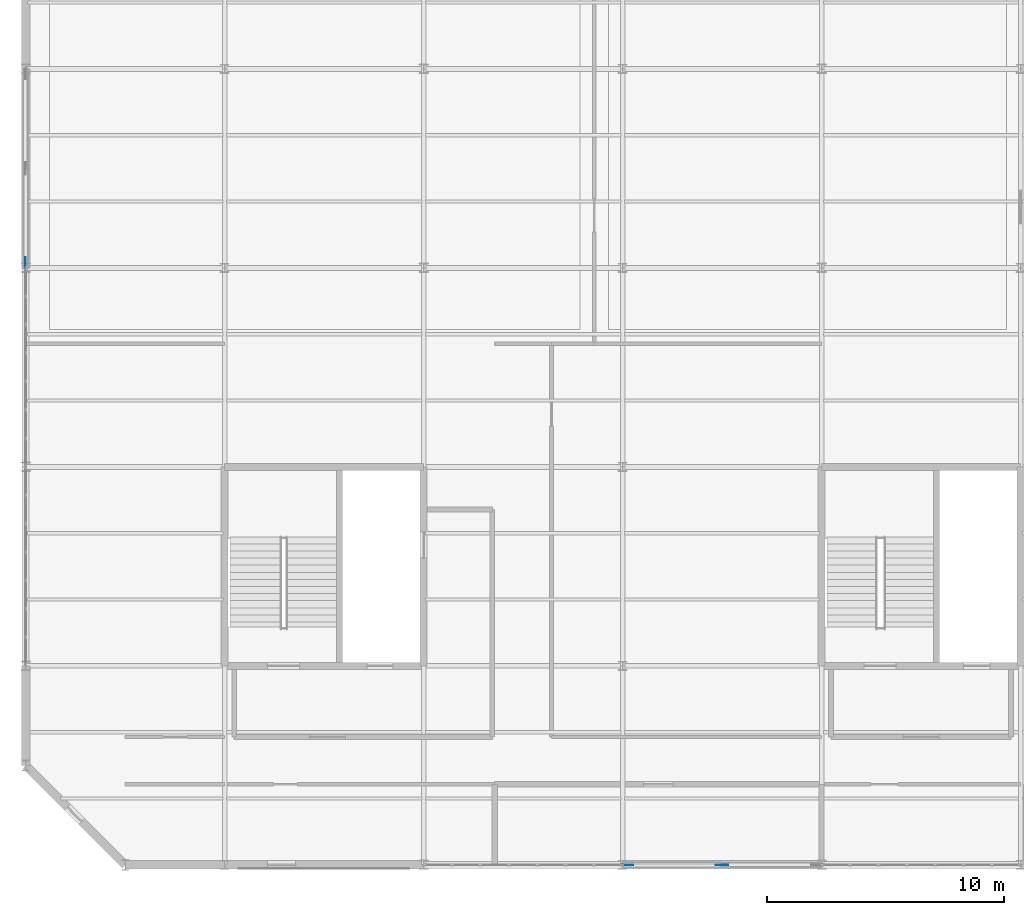
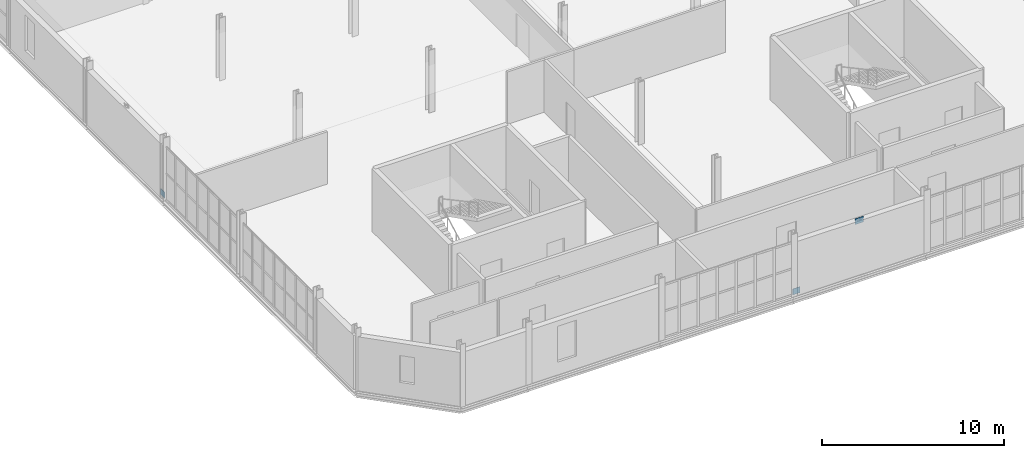
# One storey, part 161 of 184: 3 discrete accessories.
"""IFC4 building model written with IfcOpenShell, lengths in metres."""

from ifc_helpers import new_model, si_unit, direction, frame, origin, origin_2d, place, context, subcontext, project, spatial, rectangle, extrude, material, type_object, element, save


model = new_model("IFC4")

# Units and contexts
model_context = context("Model", 3, precision=1e-05, world=origin(), true_north=direction((0.0, 1.0)))
body_context = subcontext(model_context, "Body", "Model", "MODEL_VIEW")
ifc_project = project(units=[si_unit("LENGTHUNIT", "METRE"), si_unit("AREAUNIT", "SQUARE_METRE"), si_unit("VOLUMEUNIT", "CUBIC_METRE"), si_unit("PLANEANGLEUNIT", "RADIAN"), si_unit("MASSUNIT", "GRAM", prefix="KILO")], contexts=[model_context])

# Site, building, storey
site_placement = place(None, origin())
site = spatial("IfcSite", under=ifc_project, at=site_placement, CompositionType="ELEMENT")
building_placement = place(site_placement, origin())
building = spatial("IfcBuilding", under=site, at=building_placement, Name="Qalvenar Corner Mobility Hub", CompositionType="ELEMENT")
storey_placement = place(building_placement, frame((0.0, 0.0, 9.0)))
storey = spatial("IfcBuildingStorey", under=building, at=storey_placement, Name="L02", CompositionType="ELEMENT", Elevation=9.0)

# Discrete accessories
ifc_material = material(Name="Steel S355", Category="steel")
discrete_accessory_type = type_object("IfcDiscreteAccessoryType", Name="ACC-GUSSET-PLT", PredefinedType="BRACKET", material=ifc_material)
discrete_accessory_placement = place(storey_placement, frame((29.39990234375, 0.0, 3.330078125), z_axis=(0.0, 0.0, 1.0), x_axis=(1.0, 0.0, 0.0)))
element("IfcDiscreteAccessory", 1, at=discrete_accessory_placement, inside=storey, type_object=discrete_accessory_type, Name="Chevron Apex Gusset Plate GP-A-007", PredefinedType="BRACKET", context=body_context, shape_type="SweptSolid", body=[
    extrude(rectangle(XDim=0.52001953125, YDim=0.02490234375, at=origin_2d()), origin(), (0.0, 0.0, 1.0), 0.3798828125),
])
for number, where, z_axis, x_axis, name in (
    (2, (25.419921875, 0.0, 0.0), (0.0, 0.0, 1.0), (1.0, 0.0, 0.0), "Brace Base Gusset Plate GP-B-008"),
    (3, (0.0, 25.419921875, 0.0), (0.0, 0.0, 1.0), (0.0, 1.0, 0.0), "Brace Base Gusset Plate GP-B-023"),
):
    element("IfcDiscreteAccessory", number, at=place(storey_placement, frame(where, z_axis=z_axis, x_axis=x_axis)), inside=storey, type_object=discrete_accessory_type, Name=name, PredefinedType="BRACKET", context=body_context, shape_type="SweptSolid", body=[
        extrude(rectangle(XDim=0.449951171875, YDim=0.02490234375, at=origin_2d()), origin(), (0.0, 0.0, 1.0), 0.39990234375),
    ])

save(model, "model.ifc")
